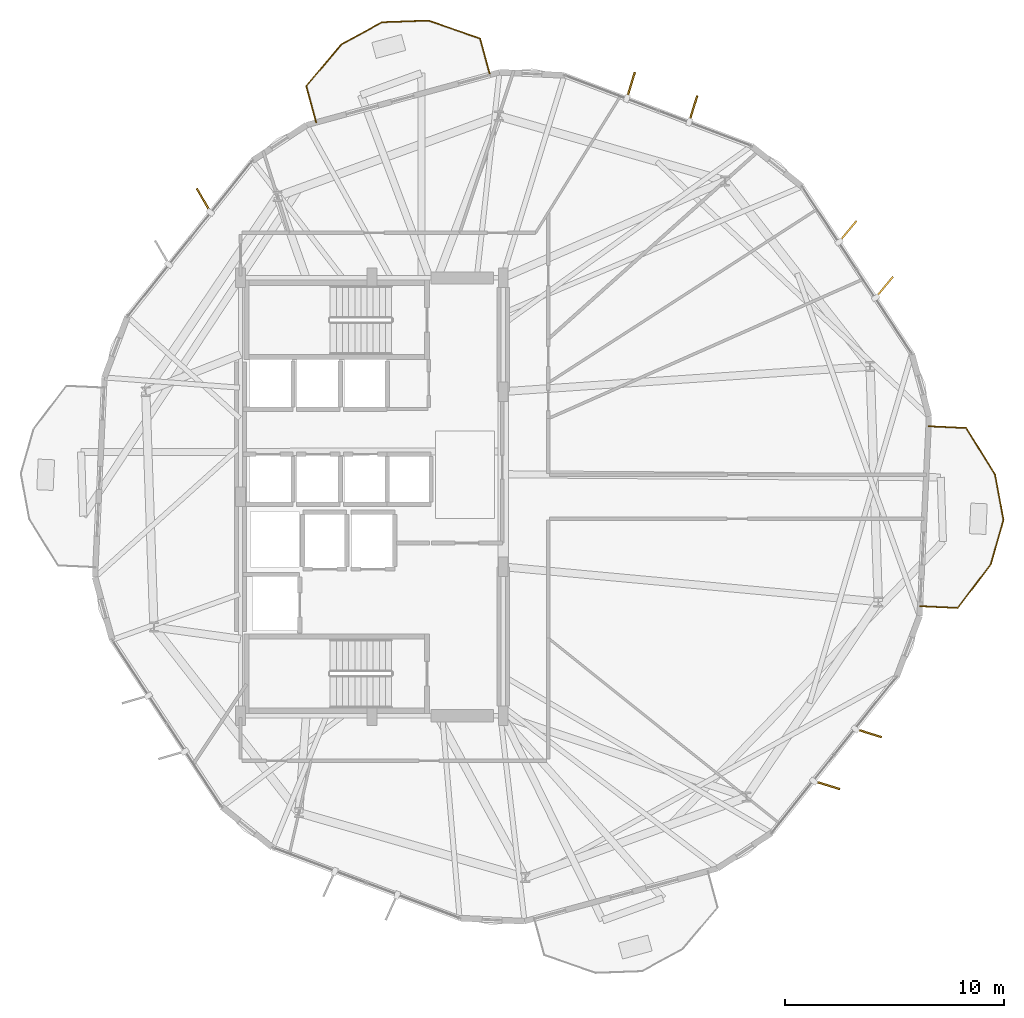
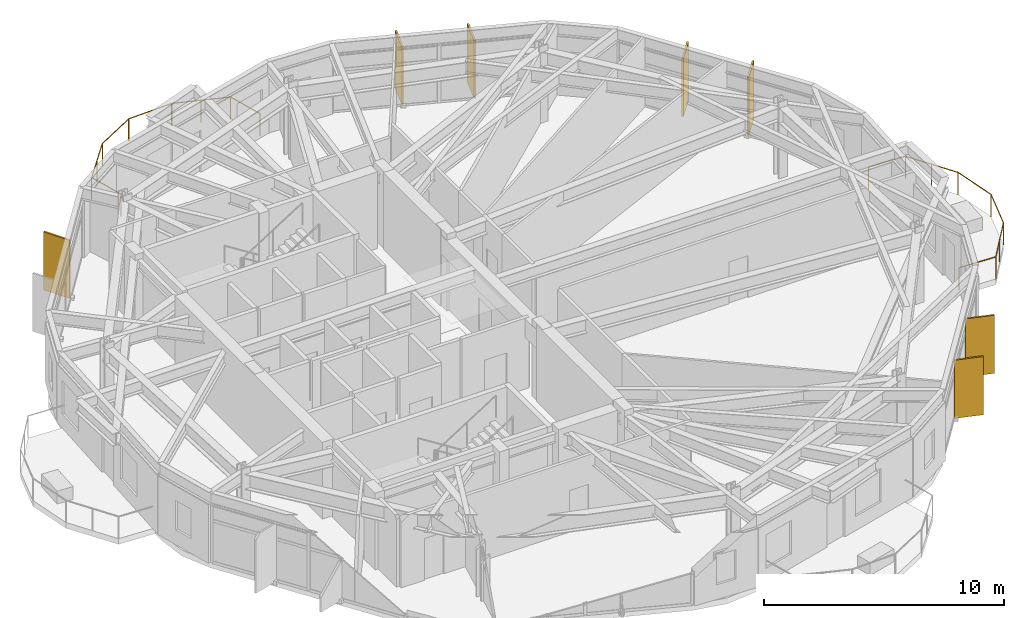
# One storey, part 25 of 25: 7 shading devices, 2 railings.
"""IFC4 building model written with IfcOpenShell, lengths in metres."""

from ifc_helpers import new_model, si_unit, direction, frame, origin, origin_2d, place, context, subcontext, project, spatial, rectangle, circle, extrude, material, layer, layer_set, type_object, element, save


model = new_model("IFC4")

# Units and contexts
model_context = context("Model", 3, precision=1e-05, world=origin(), true_north=direction((0.0, 1.0)))
body_context = subcontext(model_context, "Body", "Model", "MODEL_VIEW")
ifc_project = project(units=[si_unit("LENGTHUNIT", "METRE"), si_unit("AREAUNIT", "SQUARE_METRE"), si_unit("VOLUMEUNIT", "CUBIC_METRE"), si_unit("PLANEANGLEUNIT", "RADIAN"), si_unit("MASSUNIT", "GRAM", prefix="KILO")], contexts=[model_context])

# Site, building, storey
site_placement = place(None, origin())
site = spatial("IfcSite", under=ifc_project, at=site_placement, CompositionType="ELEMENT")
building_placement = place(site_placement, origin())
building = spatial("IfcBuilding", under=site, at=building_placement, Name="Soratama Intermodal Tower", CompositionType="ELEMENT")
storey_placement = place(building_placement, frame((0.0, 0.0, 87.39990234375)))
storey = spatial("IfcBuildingStorey", under=building, at=storey_placement, Name="L20", CompositionType="ELEMENT", Elevation=87.39990234375)

# Railings
ifc_material_1 = material(Name="Laminated glass and stainless steel balustrade", Category="steel")
railing_type = type_object("IfcRailingType", Name="RL-BAL-1150", PredefinedType="BALUSTRADE", material=ifc_material_1)
railing_1_placement = place(storey_placement, frame((64.021728515625, 28.222412109375, 0.0)))
element("IfcRailing", 1, at=railing_1_placement, inside=storey, type_object=railing_type, Name="L20 Balcony Balustrade 1", PredefinedType="BALUSTRADE", context=body_context, shape_type="SweptSolid", body=[
    extrude(circle(Radius=0.02392578125, at=origin_2d()), frame((0.0, 0.0, 1.1259765625), z_axis=(0.998889231445, -0.047120094464, 0.0), x_axis=(0.047120094464, 0.998889231445, 0.0)), (0.0, 0.0, 1.0), 1.72021484375),
    extrude(circle(Radius=0.02392578125, at=origin_2d()), frame((1.71826171875, -0.0810546875, 1.1259765625), z_axis=(0.527263075989, -0.849702094089, 0.0), x_axis=(0.849702094089, 0.527263075989, 0.0)), (0.0, 0.0, 1.0), 2.4970703125),
    extrude(circle(Radius=0.02392578125, at=origin_2d()), frame((3.034912109375, -2.202880859375, 1.1259765625), z_axis=(0.183193505083, -0.983076873747, 0.0), x_axis=(0.983076873747, 0.183193505083, 0.0)), (0.0, 0.0, 1.0), 2.11376953125),
    extrude(circle(Radius=0.02392578125, at=origin_2d()), frame((3.422119140625, -4.28076171875, 1.1259765625), z_axis=(-0.274873662544, -0.961480353226, 0.0), x_axis=(0.961480353226, -0.274873662544, 0.0)), (0.0, 0.0, 1.0), 2.114013671875),
    extrude(circle(Radius=0.02392578125, at=origin_2d()), frame((2.841064453125, -6.313232421875, 1.1259765625), z_axis=(-0.60493203308, -0.79627710965, 0.0), x_axis=(0.79627710965, -0.60493203308, 0.0)), (0.0, 0.0, 1.0), 2.4970703125),
    extrude(circle(Radius=0.02392578125, at=origin_2d()), frame((1.33056640625, -8.301513671875, 1.1259765625), z_axis=(-0.998889231445, 0.047120094464, 0.0), x_axis=(-0.047120094464, -0.998889231445, 0.0)), (0.0, 0.0, 1.0), 1.72021484375),
    extrude(circle(Radius=0.02099609375, at=origin_2d()), origin(), (0.0, 0.0, 1.0), 1.101806640625),
    extrude(circle(Radius=0.02099609375, at=origin_2d()), frame((1.71826171875, -0.0810546875, 0.0)), (0.0, 0.0, 1.0), 1.101806640625),
    extrude(circle(Radius=0.02099609375, at=origin_2d()), frame((2.37646484375, -1.14208984375, 0.0)), (0.0, 0.0, 1.0), 1.101806640625),
    extrude(circle(Radius=0.02099609375, at=origin_2d()), frame((3.034912109375, -2.202880859375, 0.0)), (0.0, 0.0, 1.0), 1.101806640625),
    extrude(circle(Radius=0.02099609375, at=origin_2d()), frame((3.422119140625, -4.28076171875, 0.0)), (0.0, 0.0, 1.0), 1.101806640625),
    extrude(circle(Radius=0.02099609375, at=origin_2d()), frame((2.841064453125, -6.313232421875, 0.0)), (0.0, 0.0, 1.0), 1.101806640625),
    extrude(circle(Radius=0.02099609375, at=origin_2d()), frame((2.0859375, -7.307373046875, 0.0)), (0.0, 0.0, 1.0), 1.101806640625),
    extrude(circle(Radius=0.02099609375, at=origin_2d()), frame((1.33056640625, -8.301513671875, 0.0)), (0.0, 0.0, 1.0), 1.101806640625),
    extrude(circle(Radius=0.02099609375, at=origin_2d()), frame((-0.3876953125, -8.220458984375, 0.0)), (0.0, 0.0, 1.0), 1.101806640625),
])
railing_2_placement = place(storey_placement, frame((36.057373046875, 42.094970703125, 0.0)))
element("IfcRailing", 2, at=railing_2_placement, inside=storey, type_object=railing_type, Name="L20 Balcony Balustrade 2", PredefinedType="BALUSTRADE", context=body_context, shape_type="SweptSolid", body=[
    extrude(circle(Radius=0.02392578125, at=origin_2d()), frame((0.0, 0.0, 1.1259765625), z_axis=(-0.263849912762, 0.964563747782, 0.0), x_axis=(-0.964563747782, -0.263849912762, 0.0)), (0.0, 0.0, 1.0), 1.72021484375),
    extrude(circle(Radius=0.02392578125, at=origin_2d()), frame((-0.453857421875, 1.6591796875, 1.1259765625), z_axis=(0.645161794145, 0.764045979883, 0.0), x_axis=(-0.764045979883, 0.645161794145, 0.0)), (0.0, 0.0, 1.0), 2.4970703125),
    extrude(circle(Radius=0.02392578125, at=origin_2d()), frame((1.1572265625, 3.567138671875, 1.1259765625), z_axis=(0.878314592587, 0.478083127133, 0.0), x_axis=(-0.478083127133, 0.878314592587, 0.0)), (0.0, 0.0, 1.0), 2.113525390625),
    extrude(circle(Radius=0.02392578125, at=origin_2d()), frame((3.013671875, 4.57763671875, 1.1259765625), z_axis=(0.999367113854, 0.035572064147, 0.0), x_axis=(-0.035572064147, 0.999367113854, 0.0)), (0.0, 0.0, 1.0), 2.11376953125),
    extrude(circle(Radius=0.02392578125, at=origin_2d()), frame((5.126220703125, 4.65283203125, 1.1259765625), z_axis=(0.944263097195, -0.329191742416, 0.0), x_axis=(0.329191742416, 0.944263097195, 0.0)), (0.0, 0.0, 1.0), 2.4970703125),
    extrude(circle(Radius=0.02392578125, at=origin_2d()), frame((7.484130859375, 3.830810546875, 1.1259765625), z_axis=(0.263717855031, -0.964599861568, 0.0), x_axis=(0.964599861568, 0.263717855031, 0.0)), (0.0, 0.0, 1.0), 1.719970703125),
    extrude(circle(Radius=0.02099609375, at=origin_2d()), origin(), (0.0, 0.0, 1.0), 1.101806640625),
    extrude(circle(Radius=0.02099609375, at=origin_2d()), frame((-0.453857421875, 1.6591796875, 0.0)), (0.0, 0.0, 1.0), 1.101806640625),
    extrude(circle(Radius=0.02099609375, at=origin_2d()), frame((0.3515625, 2.61328125, 0.0)), (0.0, 0.0, 1.0), 1.101806640625),
    extrude(circle(Radius=0.02099609375, at=origin_2d()), frame((1.1572265625, 3.567138671875, 0.0)), (0.0, 0.0, 1.0), 1.101806640625),
    extrude(circle(Radius=0.02099609375, at=origin_2d()), frame((3.013671875, 4.57763671875, 0.0)), (0.0, 0.0, 1.0), 1.101806640625),
    extrude(circle(Radius=0.02099609375, at=origin_2d()), frame((5.126220703125, 4.65283203125, 0.0)), (0.0, 0.0, 1.0), 1.101806640625),
    extrude(circle(Radius=0.02099609375, at=origin_2d()), frame((6.30517578125, 4.24169921875, 0.0)), (0.0, 0.0, 1.0), 1.101806640625),
    extrude(circle(Radius=0.02099609375, at=origin_2d()), frame((7.484130859375, 3.830810546875, 0.0)), (0.0, 0.0, 1.0), 1.101806640625),
    extrude(circle(Radius=0.02099609375, at=origin_2d()), frame((7.937744140625, 2.171630859375, 0.0)), (0.0, 0.0, 1.0), 1.101806640625),
])

# Shading devices
ifc_material_2 = material(Name="Champagne anodised aluminium solar fin", Category="aluminium")
ifc_layer = layer(ifc_material_2, 0.080078125)
ifc_layer_set = layer_set([ifc_layer], Name="Champagne anodised aluminium solar fin")
shading_device_type = type_object("IfcShadingDeviceType", Name="SH-FIN-1250", PredefinedType="USERDEFINED", material=ifc_layer_set)
for number, where, z_axis, x_axis, name in (
    (3, (62.001708984375, 34.57275390625, 0.02001953125), (0.0, 0.0, 1.0), (0.639170586601, 0.769064991547, 0.0), "L20 Solar Fin F01-1"),
    (4, (60.330810546875, 37.1162109375, 0.02001953125), (0.0, 0.0, 1.0), (0.639170586601, 0.769064991547, 0.0), "L20 Solar Fin F01-2"),
    (5, (53.27392578125, 42.711181640625, 0.02001953125), (0.0, 0.0, 1.0), (0.29153706017, 0.956559534241, 0.0), "L20 Solar Fin F02-1"),
    (6, (50.42724609375, 43.786865234375, 0.02001953125), (0.0, 0.0, 1.0), (0.29153706017, 0.956559534241, 0.0), "L20 Solar Fin F02-2"),
    (7, (30.91943359375, 38.53173828125, 0.02001953125), (0.0, 0.0, 1.0), (-0.498790313429, 0.866722691078, 0.0), "L20 Solar Fin F04-1"),
    (8, (59.374755859375, 11.835205078125, 0.02001953125), (0.0, 0.0, 1.0), (0.954656937924, -0.297708130344, 0.0), "L20 Solar Fin F09-1"),
    (9, (61.27734375, 14.210205078125, 0.02001953125), (0.0, 0.0, 1.0), (0.954656937924, -0.297708130344, 0.0), "L20 Solar Fin F09-2"),
):
    element("IfcShadingDevice", number, at=place(storey_placement, frame(where, z_axis=z_axis, x_axis=x_axis)), inside=storey, type_object=shading_device_type, Name=name, ObjectType="FIN", PredefinedType="USERDEFINED", context=body_context, shape_type="SweptSolid", body=[
        extrude(rectangle(XDim=1.25, YDim=0.080078125, at=origin_2d()), origin(), (0.0, 0.0, 1.0), 2.958984375),
    ])

save(model, "model.ifc")
